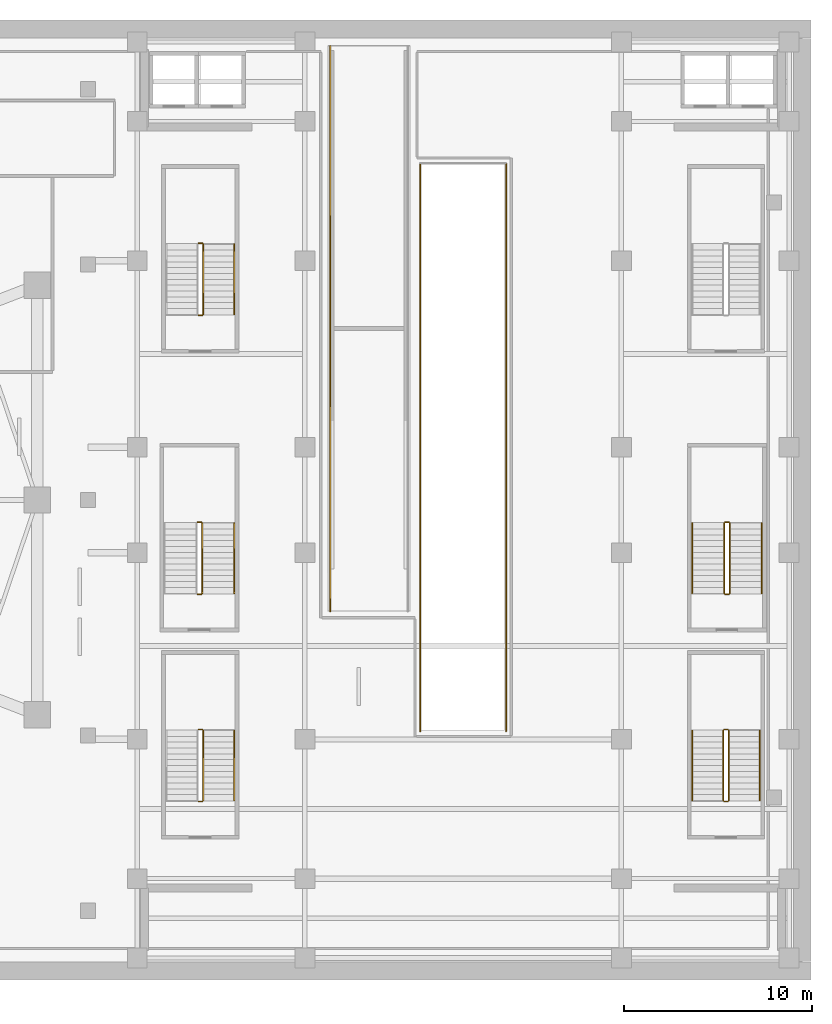
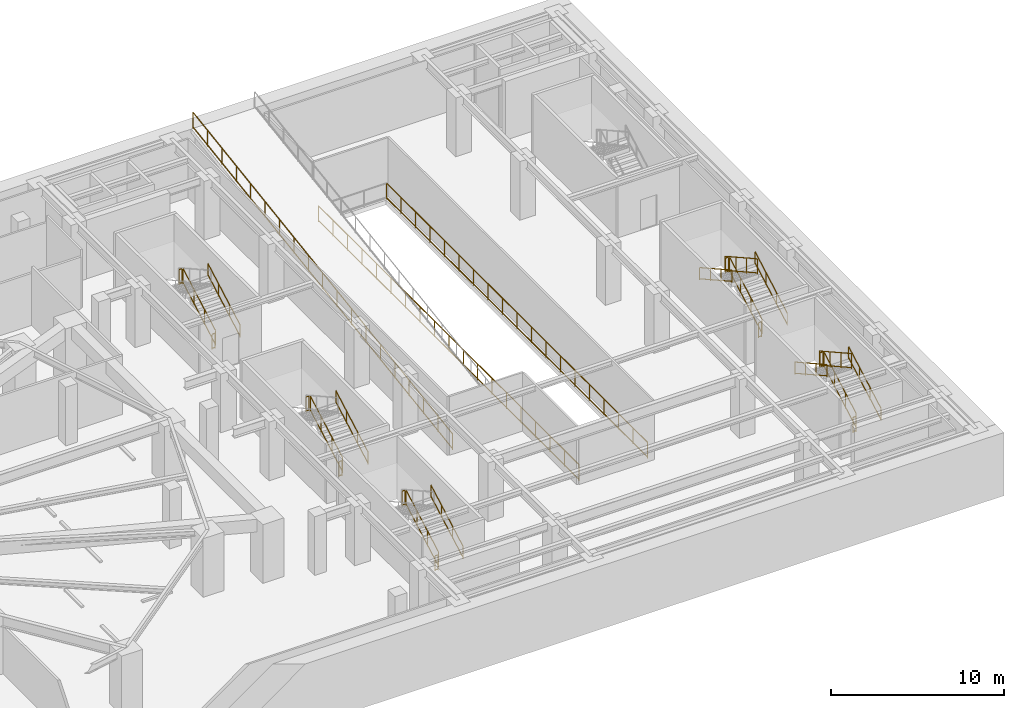
# One storey, part 15 of 16: 27 railings.
"""IFC4 building model written with IfcOpenShell, lengths in metres."""

from ifc_helpers import new_model, si_unit, direction, frame, origin, origin_2d, place, context, subcontext, project, spatial, rectangle, extrude, material, type_object, element, save


model = new_model("IFC4")

# Units and contexts
model_context = context("Model", 3, precision=1e-05, world=origin(), true_north=direction((0.0, 1.0)))
body_context = subcontext(model_context, "Body", "Model", "MODEL_VIEW")
ifc_project = project(units=[si_unit("LENGTHUNIT", "METRE"), si_unit("AREAUNIT", "SQUARE_METRE"), si_unit("VOLUMEUNIT", "CUBIC_METRE"), si_unit("PLANEANGLEUNIT", "RADIAN"), si_unit("MASSUNIT", "GRAM", prefix="KILO")], contexts=[model_context])

# Site, building, storey
site_placement = place(None, origin())
site = spatial("IfcSite", under=ifc_project, at=site_placement, CompositionType="ELEMENT")
building_placement = place(site_placement, origin())
building = spatial("IfcBuilding", under=site, at=building_placement, Name="Kolvaren Gate Tower and Convention Centre", CompositionType="ELEMENT")
storey_placement = place(building_placement, frame((0.0, 0.0, -4.5)))
storey = spatial("IfcBuildingStorey", under=building, at=storey_placement, Name="B1", CompositionType="ELEMENT", Elevation=-4.5)

# Railings
ifc_material = material(Name="Brushed Stainless Steel Grade 316L", Category="steel")
railing_type_1 = type_object("IfcRailingType", Name="ARCH-RL-GUARD-1150", PredefinedType="GUARDRAIL", material=ifc_material)
railing_1_placement = place(storey_placement, frame((66.199951171875, 36.85009765625, 0.173095703125)))
element("IfcRailing", 1, at=railing_1_placement, inside=storey, type_object=railing_type_1, Name="B1 ST-C1 stair guard 1", PredefinedType="GUARDRAIL", context=body_context, shape_type="SweptSolid", body=[
    extrude(rectangle(XDim=0.048095703125, YDim=0.048095703125, at=origin_2d()), frame((0.0, 0.0, 1.076171875), z_axis=(0.0, 0.873133609054, 0.487480974747), x_axis=(-1.0, 0.0, 0.0)), (0.0, 0.0, 1.0), 4.260498046875),
    extrude(rectangle(XDim=0.048095703125, YDim=0.048095703125, at=origin_2d()), frame((0.0, 0.0, 0.083984375), z_axis=(0.0, 0.873133609054, 0.487480974747), x_axis=(-1.0, 0.0, 0.0)), (0.0, 0.0, 1.0), 4.260498046875),
    extrude(rectangle(XDim=0.0419921875, YDim=0.0419921875, at=origin_2d()), origin(), (0.0, 0.0, 1.0), 1.050048828125),
    extrude(rectangle(XDim=0.0419921875, YDim=0.0419921875, at=origin_2d()), frame((0.0, 3.719970703125, 2.076904296875)), (0.0, 0.0, 1.0), 1.050048828125),
    extrude(rectangle(XDim=0.0419921875, YDim=0.0419921875, at=origin_2d()), frame((0.0, 1.239990234375, 0.6923828125)), (0.0, 0.0, 1.0), 1.050048828125),
    extrude(rectangle(XDim=0.0419921875, YDim=0.0419921875, at=origin_2d()), frame((0.0, 2.47998046875, 1.384521484375)), (0.0, 0.0, 1.0), 1.050048828125),
])
for number, where, name in (
    (2, (66.14990234375, 40.6201171875, 2.25), "B1 ST-C1 stair guard 2"),
    (3, (66.14990234375, 36.800048828125, 0.0), "B1 ST-C1 stair guard 4"),
):
    element("IfcRailing", number, at=place(storey_placement, frame(where)), inside=storey, type_object=railing_type_1, Name=name, PredefinedType="GUARDRAIL", context=body_context, shape_type="SweptSolid", body=[
        extrude(rectangle(XDim=0.048095703125, YDim=0.048095703125, at=origin_2d()), frame((0.0, 0.0, 1.076171875), z_axis=(-1.0, 0.0, 0.0), x_axis=(0.0, -1.0, 0.0)), (0.0, 0.0, 1.0), 0.199951171875),
        extrude(rectangle(XDim=0.048095703125, YDim=0.048095703125, at=origin_2d()), frame((0.0, 0.0, 0.083984375), z_axis=(-1.0, 0.0, 0.0), x_axis=(0.0, -1.0, 0.0)), (0.0, 0.0, 1.0), 0.199951171875),
        extrude(rectangle(XDim=0.0419921875, YDim=0.0419921875, at=origin_2d()), origin(), (0.0, 0.0, 1.0), 1.050048828125),
        extrude(rectangle(XDim=0.0419921875, YDim=0.0419921875, at=origin_2d()), frame((-0.199951171875, 0.0, 0.0)), (0.0, 0.0, 1.0), 1.050048828125),
    ])
railing_2_placement = place(storey_placement, frame((66.199951171875, 11.050048828125, 0.173095703125)))
element("IfcRailing", 4, at=railing_2_placement, inside=storey, type_object=railing_type_1, Name="B1 ST-C2 stair guard 1", PredefinedType="GUARDRAIL", context=body_context, shape_type="SweptSolid", body=[
    extrude(rectangle(XDim=0.048095703125, YDim=0.048095703125, at=origin_2d()), frame((0.0, 0.0, 1.076171875), z_axis=(0.0, 0.873133609054, 0.487480974747), x_axis=(-1.0, 0.0, 0.0)), (0.0, 0.0, 1.0), 4.260498046875),
    extrude(rectangle(XDim=0.048095703125, YDim=0.048095703125, at=origin_2d()), frame((0.0, 0.0, 0.083984375), z_axis=(0.0, 0.873133609054, 0.487480974747), x_axis=(-1.0, 0.0, 0.0)), (0.0, 0.0, 1.0), 4.260498046875),
    extrude(rectangle(XDim=0.0419921875, YDim=0.0419921875, at=origin_2d()), origin(), (0.0, 0.0, 1.0), 1.050048828125),
    extrude(rectangle(XDim=0.0419921875, YDim=0.0419921875, at=origin_2d()), frame((0.0, 3.719970703125, 2.076904296875)), (0.0, 0.0, 1.0), 1.050048828125),
    extrude(rectangle(XDim=0.0419921875, YDim=0.0419921875, at=origin_2d()), frame((0.0, 1.239990234375, 0.6923828125)), (0.0, 0.0, 1.0), 1.050048828125),
    extrude(rectangle(XDim=0.0419921875, YDim=0.0419921875, at=origin_2d()), frame((0.0, 2.47998046875, 1.384521484375)), (0.0, 0.0, 1.0), 1.050048828125),
])
for number, where, name in (
    (5, (66.14990234375, 14.820068359375, 2.25), "B1 ST-C2 stair guard 2"),
    (6, (66.14990234375, 11.0, 0.0), "B1 ST-C2 stair guard 4"),
):
    element("IfcRailing", number, at=place(storey_placement, frame(where)), inside=storey, type_object=railing_type_1, Name=name, PredefinedType="GUARDRAIL", context=body_context, shape_type="SweptSolid", body=[
        extrude(rectangle(XDim=0.048095703125, YDim=0.048095703125, at=origin_2d()), frame((0.0, 0.0, 1.076171875), z_axis=(-1.0, 0.0, 0.0), x_axis=(0.0, -1.0, 0.0)), (0.0, 0.0, 1.0), 0.199951171875),
        extrude(rectangle(XDim=0.048095703125, YDim=0.048095703125, at=origin_2d()), frame((0.0, 0.0, 0.083984375), z_axis=(-1.0, 0.0, 0.0), x_axis=(0.0, -1.0, 0.0)), (0.0, 0.0, 1.0), 0.199951171875),
        extrude(rectangle(XDim=0.0419921875, YDim=0.0419921875, at=origin_2d()), origin(), (0.0, 0.0, 1.0), 1.050048828125),
        extrude(rectangle(XDim=0.0419921875, YDim=0.0419921875, at=origin_2d()), frame((-0.199951171875, 0.0, 0.0)), (0.0, 0.0, 1.0), 1.050048828125),
    ])
railing_3_placement = place(storey_placement, frame((94.10009765625, 11.050048828125, 0.173095703125)))
element("IfcRailing", 7, at=railing_3_placement, inside=storey, type_object=railing_type_1, Name="B1 ST-C4 stair guard 1", PredefinedType="GUARDRAIL", context=body_context, shape_type="SweptSolid", body=[
    extrude(rectangle(XDim=0.048095703125, YDim=0.048095703125, at=origin_2d()), frame((0.0, 0.0, 1.076171875), z_axis=(0.0, 0.873133609054, 0.487480974747), x_axis=(-1.0, 0.0, 0.0)), (0.0, 0.0, 1.0), 4.260498046875),
    extrude(rectangle(XDim=0.048095703125, YDim=0.048095703125, at=origin_2d()), frame((0.0, 0.0, 0.083984375), z_axis=(0.0, 0.873133609054, 0.487480974747), x_axis=(-1.0, 0.0, 0.0)), (0.0, 0.0, 1.0), 4.260498046875),
    extrude(rectangle(XDim=0.0419921875, YDim=0.0419921875, at=origin_2d()), origin(), (0.0, 0.0, 1.0), 1.050048828125),
    extrude(rectangle(XDim=0.0419921875, YDim=0.0419921875, at=origin_2d()), frame((0.0, 3.719970703125, 2.076904296875)), (0.0, 0.0, 1.0), 1.050048828125),
    extrude(rectangle(XDim=0.0419921875, YDim=0.0419921875, at=origin_2d()), frame((0.0, 1.239990234375, 0.6923828125)), (0.0, 0.0, 1.0), 1.050048828125),
    extrude(rectangle(XDim=0.0419921875, YDim=0.0419921875, at=origin_2d()), frame((0.0, 2.47998046875, 1.384521484375)), (0.0, 0.0, 1.0), 1.050048828125),
])
railing_4_placement = place(storey_placement, frame((94.050048828125, 14.820068359375, 2.25)))
element("IfcRailing", 8, at=railing_4_placement, inside=storey, type_object=railing_type_1, Name="B1 ST-C4 stair guard 2", PredefinedType="GUARDRAIL", context=body_context, shape_type="SweptSolid", body=[
    extrude(rectangle(XDim=0.048095703125, YDim=0.048095703125, at=origin_2d()), frame((0.0, 0.0, 1.076171875), z_axis=(-1.0, 0.0, 0.0), x_axis=(0.0, -1.0, 0.0)), (0.0, 0.0, 1.0), 0.199951171875),
    extrude(rectangle(XDim=0.048095703125, YDim=0.048095703125, at=origin_2d()), frame((0.0, 0.0, 0.083984375), z_axis=(-1.0, 0.0, 0.0), x_axis=(0.0, -1.0, 0.0)), (0.0, 0.0, 1.0), 0.199951171875),
    extrude(rectangle(XDim=0.0419921875, YDim=0.0419921875, at=origin_2d()), origin(), (0.0, 0.0, 1.0), 1.050048828125),
    extrude(rectangle(XDim=0.0419921875, YDim=0.0419921875, at=origin_2d()), frame((-0.199951171875, 0.0, 0.0)), (0.0, 0.0, 1.0), 1.050048828125),
])
railing_5_placement = place(storey_placement, frame((93.800048828125, 14.77001953125, 2.423095703125)))
element("IfcRailing", 9, at=railing_5_placement, inside=storey, type_object=railing_type_1, Name="B1 ST-C4 stair guard 3", PredefinedType="GUARDRAIL", context=body_context, shape_type="SweptSolid", body=[
    extrude(rectangle(XDim=0.048095703125, YDim=0.048095703125, at=origin_2d()), frame((0.0, 0.0, 1.076171875), z_axis=(0.0, -0.873133609054, 0.487480974747), x_axis=(1.0, 0.0, 0.0)), (0.0, 0.0, 1.0), 4.260498046875),
    extrude(rectangle(XDim=0.048095703125, YDim=0.048095703125, at=origin_2d()), frame((0.0, 0.0, 0.083984375), z_axis=(0.0, -0.873133609054, 0.487480974747), x_axis=(1.0, 0.0, 0.0)), (0.0, 0.0, 1.0), 4.260498046875),
    extrude(rectangle(XDim=0.0419921875, YDim=0.0419921875, at=origin_2d()), origin(), (0.0, 0.0, 1.0), 1.050048828125),
    extrude(rectangle(XDim=0.0419921875, YDim=0.0419921875, at=origin_2d()), frame((0.0, -3.719970703125, 2.076904296875)), (0.0, 0.0, 1.0), 1.050048828125),
    extrude(rectangle(XDim=0.0419921875, YDim=0.0419921875, at=origin_2d()), frame((0.0, -1.239990234375, 0.6923828125)), (0.0, 0.0, 1.0), 1.050048828125),
    extrude(rectangle(XDim=0.0419921875, YDim=0.0419921875, at=origin_2d()), frame((0.0, -2.47998046875, 1.384521484375)), (0.0, 0.0, 1.0), 1.050048828125),
])
railing_6_placement = place(storey_placement, frame((94.050048828125, 11.0, 0.0)))
element("IfcRailing", 10, at=railing_6_placement, inside=storey, type_object=railing_type_1, Name="B1 ST-C4 stair guard 4", PredefinedType="GUARDRAIL", context=body_context, shape_type="SweptSolid", body=[
    extrude(rectangle(XDim=0.048095703125, YDim=0.048095703125, at=origin_2d()), frame((0.0, 0.0, 1.076171875), z_axis=(-1.0, 0.0, 0.0), x_axis=(0.0, -1.0, 0.0)), (0.0, 0.0, 1.0), 0.199951171875),
    extrude(rectangle(XDim=0.048095703125, YDim=0.048095703125, at=origin_2d()), frame((0.0, 0.0, 0.083984375), z_axis=(-1.0, 0.0, 0.0), x_axis=(0.0, -1.0, 0.0)), (0.0, 0.0, 1.0), 0.199951171875),
    extrude(rectangle(XDim=0.0419921875, YDim=0.0419921875, at=origin_2d()), origin(), (0.0, 0.0, 1.0), 1.050048828125),
    extrude(rectangle(XDim=0.0419921875, YDim=0.0419921875, at=origin_2d()), frame((-0.199951171875, 0.0, 0.0)), (0.0, 0.0, 1.0), 1.050048828125),
])
railing_7_placement = place(storey_placement, frame((66.14990234375, 22.050048828125, 0.173095703125)))
element("IfcRailing", 11, at=railing_7_placement, inside=storey, type_object=railing_type_1, Name="B1 ST-C5 stair guard 1", PredefinedType="GUARDRAIL", context=body_context, shape_type="SweptSolid", body=[
    extrude(rectangle(XDim=0.048095703125, YDim=0.048095703125, at=origin_2d()), frame((0.0, 0.0, 1.076171875), z_axis=(0.0, 0.873133609054, 0.487480974747), x_axis=(-1.0, 0.0, 0.0)), (0.0, 0.0, 1.0), 4.260498046875),
    extrude(rectangle(XDim=0.048095703125, YDim=0.048095703125, at=origin_2d()), frame((0.0, 0.0, 0.083984375), z_axis=(0.0, 0.873133609054, 0.487480974747), x_axis=(-1.0, 0.0, 0.0)), (0.0, 0.0, 1.0), 4.260498046875),
    extrude(rectangle(XDim=0.0419921875, YDim=0.0419921875, at=origin_2d()), origin(), (0.0, 0.0, 1.0), 1.050048828125),
    extrude(rectangle(XDim=0.0419921875, YDim=0.0419921875, at=origin_2d()), frame((0.0, 3.719970703125, 2.076904296875)), (0.0, 0.0, 1.0), 1.050048828125),
    extrude(rectangle(XDim=0.0419921875, YDim=0.0419921875, at=origin_2d()), frame((0.0, 1.239990234375, 0.6923828125)), (0.0, 0.0, 1.0), 1.050048828125),
    extrude(rectangle(XDim=0.0419921875, YDim=0.0419921875, at=origin_2d()), frame((0.0, 2.47998046875, 1.384521484375)), (0.0, 0.0, 1.0), 1.050048828125),
])
for number, where, name in (
    (12, (66.10009765625, 25.820068359375, 2.25), "B1 ST-C5 stair guard 2"),
    (13, (66.10009765625, 22.0, 0.0), "B1 ST-C5 stair guard 4"),
):
    element("IfcRailing", number, at=place(storey_placement, frame(where)), inside=storey, type_object=railing_type_1, Name=name, PredefinedType="GUARDRAIL", context=body_context, shape_type="SweptSolid", body=[
        extrude(rectangle(XDim=0.048095703125, YDim=0.048095703125, at=origin_2d()), frame((0.0, 0.0, 1.076171875), z_axis=(-1.0, 0.0, 0.0), x_axis=(0.0, -1.0, 0.0)), (0.0, 0.0, 1.0), 0.2001953125),
        extrude(rectangle(XDim=0.048095703125, YDim=0.048095703125, at=origin_2d()), frame((0.0, 0.0, 0.083984375), z_axis=(-1.0, 0.0, 0.0), x_axis=(0.0, -1.0, 0.0)), (0.0, 0.0, 1.0), 0.2001953125),
        extrude(rectangle(XDim=0.0419921875, YDim=0.0419921875, at=origin_2d()), origin(), (0.0, 0.0, 1.0), 1.050048828125),
        extrude(rectangle(XDim=0.0419921875, YDim=0.0419921875, at=origin_2d()), frame((-0.2001953125, 0.0, 0.0)), (0.0, 0.0, 1.0), 1.050048828125),
    ])
railing_8_placement = place(storey_placement, frame((94.14990234375, 22.050048828125, 0.173095703125)))
element("IfcRailing", 14, at=railing_8_placement, inside=storey, type_object=railing_type_1, Name="B1 ST-C6 stair guard 1", PredefinedType="GUARDRAIL", context=body_context, shape_type="SweptSolid", body=[
    extrude(rectangle(XDim=0.048095703125, YDim=0.048095703125, at=origin_2d()), frame((0.0, 0.0, 1.076171875), z_axis=(0.0, 0.873133609054, 0.487480974747), x_axis=(-1.0, 0.0, 0.0)), (0.0, 0.0, 1.0), 4.260498046875),
    extrude(rectangle(XDim=0.048095703125, YDim=0.048095703125, at=origin_2d()), frame((0.0, 0.0, 0.083984375), z_axis=(0.0, 0.873133609054, 0.487480974747), x_axis=(-1.0, 0.0, 0.0)), (0.0, 0.0, 1.0), 4.260498046875),
    extrude(rectangle(XDim=0.0419921875, YDim=0.0419921875, at=origin_2d()), origin(), (0.0, 0.0, 1.0), 1.050048828125),
    extrude(rectangle(XDim=0.0419921875, YDim=0.0419921875, at=origin_2d()), frame((0.0, 3.719970703125, 2.076904296875)), (0.0, 0.0, 1.0), 1.050048828125),
    extrude(rectangle(XDim=0.0419921875, YDim=0.0419921875, at=origin_2d()), frame((0.0, 1.239990234375, 0.6923828125)), (0.0, 0.0, 1.0), 1.050048828125),
    extrude(rectangle(XDim=0.0419921875, YDim=0.0419921875, at=origin_2d()), frame((0.0, 2.47998046875, 1.384521484375)), (0.0, 0.0, 1.0), 1.050048828125),
])
railing_9_placement = place(storey_placement, frame((94.10009765625, 25.820068359375, 2.25)))
element("IfcRailing", 15, at=railing_9_placement, inside=storey, type_object=railing_type_1, Name="B1 ST-C6 stair guard 2", PredefinedType="GUARDRAIL", context=body_context, shape_type="SweptSolid", body=[
    extrude(rectangle(XDim=0.048095703125, YDim=0.048095703125, at=origin_2d()), frame((0.0, 0.0, 1.076171875), z_axis=(-1.0, 0.0, 0.0), x_axis=(0.0, -1.0, 0.0)), (0.0, 0.0, 1.0), 0.2001953125),
    extrude(rectangle(XDim=0.048095703125, YDim=0.048095703125, at=origin_2d()), frame((0.0, 0.0, 0.083984375), z_axis=(-1.0, 0.0, 0.0), x_axis=(0.0, -1.0, 0.0)), (0.0, 0.0, 1.0), 0.2001953125),
    extrude(rectangle(XDim=0.0419921875, YDim=0.0419921875, at=origin_2d()), origin(), (0.0, 0.0, 1.0), 1.050048828125),
    extrude(rectangle(XDim=0.0419921875, YDim=0.0419921875, at=origin_2d()), frame((-0.2001953125, 0.0, 0.0)), (0.0, 0.0, 1.0), 1.050048828125),
])
railing_10_placement = place(storey_placement, frame((93.85009765625, 25.77001953125, 2.423095703125)))
element("IfcRailing", 16, at=railing_10_placement, inside=storey, type_object=railing_type_1, Name="B1 ST-C6 stair guard 3", PredefinedType="GUARDRAIL", context=body_context, shape_type="SweptSolid", body=[
    extrude(rectangle(XDim=0.048095703125, YDim=0.048095703125, at=origin_2d()), frame((0.0, 0.0, 1.076171875), z_axis=(0.0, -0.873133609054, 0.487480974747), x_axis=(1.0, 0.0, 0.0)), (0.0, 0.0, 1.0), 4.260498046875),
    extrude(rectangle(XDim=0.048095703125, YDim=0.048095703125, at=origin_2d()), frame((0.0, 0.0, 0.083984375), z_axis=(0.0, -0.873133609054, 0.487480974747), x_axis=(1.0, 0.0, 0.0)), (0.0, 0.0, 1.0), 4.260498046875),
    extrude(rectangle(XDim=0.0419921875, YDim=0.0419921875, at=origin_2d()), origin(), (0.0, 0.0, 1.0), 1.050048828125),
    extrude(rectangle(XDim=0.0419921875, YDim=0.0419921875, at=origin_2d()), frame((0.0, -3.719970703125, 2.076904296875)), (0.0, 0.0, 1.0), 1.050048828125),
    extrude(rectangle(XDim=0.0419921875, YDim=0.0419921875, at=origin_2d()), frame((0.0, -1.239990234375, 0.6923828125)), (0.0, 0.0, 1.0), 1.050048828125),
    extrude(rectangle(XDim=0.0419921875, YDim=0.0419921875, at=origin_2d()), frame((0.0, -2.47998046875, 1.384521484375)), (0.0, 0.0, 1.0), 1.050048828125),
])
railing_11_placement = place(storey_placement, frame((94.10009765625, 22.0, 0.0)))
element("IfcRailing", 17, at=railing_11_placement, inside=storey, type_object=railing_type_1, Name="B1 ST-C6 stair guard 4", PredefinedType="GUARDRAIL", context=body_context, shape_type="SweptSolid", body=[
    extrude(rectangle(XDim=0.048095703125, YDim=0.048095703125, at=origin_2d()), frame((0.0, 0.0, 1.076171875), z_axis=(-1.0, 0.0, 0.0), x_axis=(0.0, -1.0, 0.0)), (0.0, 0.0, 1.0), 0.2001953125),
    extrude(rectangle(XDim=0.048095703125, YDim=0.048095703125, at=origin_2d()), frame((0.0, 0.0, 0.083984375), z_axis=(-1.0, 0.0, 0.0), x_axis=(0.0, -1.0, 0.0)), (0.0, 0.0, 1.0), 0.2001953125),
    extrude(rectangle(XDim=0.0419921875, YDim=0.0419921875, at=origin_2d()), origin(), (0.0, 0.0, 1.0), 1.050048828125),
    extrude(rectangle(XDim=0.0419921875, YDim=0.0419921875, at=origin_2d()), frame((-0.2001953125, 0.0, 0.0)), (0.0, 0.0, 1.0), 1.050048828125),
])
railing_12_placement = place(storey_placement, frame((72.93994140625, 21.10009765625, 0.0)))
element("IfcRailing", 18, at=railing_12_placement, inside=storey, type_object=railing_type_1, Name="Basement B1 to Ground Car Park Vehicle Ramp Slab R1 Pitched Perimeter Guardrail 1", PredefinedType="GUARDRAIL", context=body_context, shape_type="SweptSolid", body=[
    extrude(rectangle(XDim=0.048095703125, YDim=0.048095703125, at=origin_2d()), frame((0.0, 0.0, 1.1259765625), z_axis=(0.0, 0.988936352868, 0.14834045293), x_axis=(-1.0, 0.0, 0.0)), (0.0, 0.0, 1.0), 30.335693359375),
    extrude(rectangle(XDim=0.048095703125, YDim=0.048095703125, at=origin_2d()), frame((0.0, 0.0, 0.083984375), z_axis=(0.0, 0.988936352868, 0.14834045293), x_axis=(-1.0, 0.0, 0.0)), (0.0, 0.0, 1.0), 30.335693359375),
    extrude(rectangle(XDim=0.0419921875, YDim=0.0419921875, at=origin_2d()), origin(), (0.0, 0.0, 1.0), 1.099853515625),
    extrude(rectangle(XDim=0.0419921875, YDim=0.0419921875, at=origin_2d()), frame((0.0, 30.0, 4.5)), (0.0, 0.0, 1.0), 1.099853515625),
    extrude(rectangle(XDim=0.0419921875, YDim=0.0419921875, at=origin_2d()), frame((0.0, 1.666748046875, 0.25)), (0.0, 0.0, 1.0), 1.099853515625),
    extrude(rectangle(XDim=0.0419921875, YDim=0.0419921875, at=origin_2d()), frame((0.0, 3.333251953125, 0.5)), (0.0, 0.0, 1.0), 1.099853515625),
    extrude(rectangle(XDim=0.0419921875, YDim=0.0419921875, at=origin_2d()), frame((0.0, 5.0, 0.75)), (0.0, 0.0, 1.0), 1.099853515625),
    extrude(rectangle(XDim=0.0419921875, YDim=0.0419921875, at=origin_2d()), frame((0.0, 6.666748046875, 1.0)), (0.0, 0.0, 1.0), 1.099853515625),
    extrude(rectangle(XDim=0.0419921875, YDim=0.0419921875, at=origin_2d()), frame((0.0, 8.333251953125, 1.25)), (0.0, 0.0, 1.0), 1.099853515625),
    extrude(rectangle(XDim=0.0419921875, YDim=0.0419921875, at=origin_2d()), frame((0.0, 10.0, 1.5)), (0.0, 0.0, 1.0), 1.099853515625),
    extrude(rectangle(XDim=0.0419921875, YDim=0.0419921875, at=origin_2d()), frame((0.0, 11.666748046875, 1.75)), (0.0, 0.0, 1.0), 1.099853515625),
    extrude(rectangle(XDim=0.0419921875, YDim=0.0419921875, at=origin_2d()), frame((0.0, 13.333251953125, 2.0)), (0.0, 0.0, 1.0), 1.099853515625),
    extrude(rectangle(XDim=0.0419921875, YDim=0.0419921875, at=origin_2d()), frame((0.0, 15.0, 2.25)), (0.0, 0.0, 1.0), 1.099853515625),
    extrude(rectangle(XDim=0.0419921875, YDim=0.0419921875, at=origin_2d()), frame((0.0, 16.666748046875, 2.5)), (0.0, 0.0, 1.0), 1.099853515625),
    extrude(rectangle(XDim=0.0419921875, YDim=0.0419921875, at=origin_2d()), frame((0.0, 18.333251953125, 2.75)), (0.0, 0.0, 1.0), 1.099853515625),
    extrude(rectangle(XDim=0.0419921875, YDim=0.0419921875, at=origin_2d()), frame((0.0, 20.0, 3.0)), (0.0, 0.0, 1.0), 1.099853515625),
    extrude(rectangle(XDim=0.0419921875, YDim=0.0419921875, at=origin_2d()), frame((0.0, 21.666748046875, 3.25)), (0.0, 0.0, 1.0), 1.099853515625),
    extrude(rectangle(XDim=0.0419921875, YDim=0.0419921875, at=origin_2d()), frame((0.0, 23.333251953125, 3.5)), (0.0, 0.0, 1.0), 1.099853515625),
    extrude(rectangle(XDim=0.0419921875, YDim=0.0419921875, at=origin_2d()), frame((0.0, 25.0, 3.75)), (0.0, 0.0, 1.0), 1.099853515625),
    extrude(rectangle(XDim=0.0419921875, YDim=0.0419921875, at=origin_2d()), frame((0.0, 26.666748046875, 4.0)), (0.0, 0.0, 1.0), 1.099853515625),
    extrude(rectangle(XDim=0.0419921875, YDim=0.0419921875, at=origin_2d()), frame((0.0, 28.333251953125, 4.25)), (0.0, 0.0, 1.0), 1.099853515625),
])
railing_13_placement = place(storey_placement, frame((77.719970703125, 14.719970703125, 0.0)))
element("IfcRailing", 19, at=railing_13_placement, inside=storey, type_object=railing_type_1, Name="Basement B2 to B1 Car Park Vehicle Ramp Slab R2 Floor Opening Perimeter Guardrail 1", PredefinedType="GUARDRAIL", context=body_context, shape_type="SweptSolid", body=[
    extrude(rectangle(XDim=0.048095703125, YDim=0.048095703125, at=origin_2d()), frame((0.0, 0.0, 1.1259765625), z_axis=(0.0, 1.0, 0.0), x_axis=(-1.0, 0.0, 0.0)), (0.0, 0.0, 1.0), 30.159912109375),
    extrude(rectangle(XDim=0.048095703125, YDim=0.048095703125, at=origin_2d()), frame((0.0, 0.0, 0.083984375), z_axis=(0.0, 1.0, 0.0), x_axis=(-1.0, 0.0, 0.0)), (0.0, 0.0, 1.0), 30.159912109375),
    extrude(rectangle(XDim=0.0419921875, YDim=0.0419921875, at=origin_2d()), origin(), (0.0, 0.0, 1.0), 1.099853515625),
    extrude(rectangle(XDim=0.0419921875, YDim=0.0419921875, at=origin_2d()), frame((0.0, 30.159912109375, 0.0)), (0.0, 0.0, 1.0), 1.099853515625),
    extrude(rectangle(XDim=0.0419921875, YDim=0.0419921875, at=origin_2d()), frame((0.0, 1.675537109375, 0.0)), (0.0, 0.0, 1.0), 1.099853515625),
    extrude(rectangle(XDim=0.0419921875, YDim=0.0419921875, at=origin_2d()), frame((0.0, 3.35107421875, 0.0)), (0.0, 0.0, 1.0), 1.099853515625),
    extrude(rectangle(XDim=0.0419921875, YDim=0.0419921875, at=origin_2d()), frame((0.0, 5.026611328125, 0.0)), (0.0, 0.0, 1.0), 1.099853515625),
    extrude(rectangle(XDim=0.0419921875, YDim=0.0419921875, at=origin_2d()), frame((0.0, 6.7021484375, 0.0)), (0.0, 0.0, 1.0), 1.099853515625),
    extrude(rectangle(XDim=0.0419921875, YDim=0.0419921875, at=origin_2d()), frame((0.0, 8.377685546875, 0.0)), (0.0, 0.0, 1.0), 1.099853515625),
    extrude(rectangle(XDim=0.0419921875, YDim=0.0419921875, at=origin_2d()), frame((0.0, 10.05322265625, 0.0)), (0.0, 0.0, 1.0), 1.099853515625),
    extrude(rectangle(XDim=0.0419921875, YDim=0.0419921875, at=origin_2d()), frame((0.0, 11.728759765625, 0.0)), (0.0, 0.0, 1.0), 1.099853515625),
    extrude(rectangle(XDim=0.0419921875, YDim=0.0419921875, at=origin_2d()), frame((0.0, 13.404296875, 0.0)), (0.0, 0.0, 1.0), 1.099853515625),
    extrude(rectangle(XDim=0.0419921875, YDim=0.0419921875, at=origin_2d()), frame((0.0, 15.080078125, 0.0)), (0.0, 0.0, 1.0), 1.099853515625),
    extrude(rectangle(XDim=0.0419921875, YDim=0.0419921875, at=origin_2d()), frame((0.0, 16.755615234375, 0.0)), (0.0, 0.0, 1.0), 1.099853515625),
    extrude(rectangle(XDim=0.0419921875, YDim=0.0419921875, at=origin_2d()), frame((0.0, 18.43115234375, 0.0)), (0.0, 0.0, 1.0), 1.099853515625),
    extrude(rectangle(XDim=0.0419921875, YDim=0.0419921875, at=origin_2d()), frame((0.0, 20.106689453125, 0.0)), (0.0, 0.0, 1.0), 1.099853515625),
    extrude(rectangle(XDim=0.0419921875, YDim=0.0419921875, at=origin_2d()), frame((0.0, 21.7822265625, 0.0)), (0.0, 0.0, 1.0), 1.099853515625),
    extrude(rectangle(XDim=0.0419921875, YDim=0.0419921875, at=origin_2d()), frame((0.0, 23.457763671875, 0.0)), (0.0, 0.0, 1.0), 1.099853515625),
    extrude(rectangle(XDim=0.0419921875, YDim=0.0419921875, at=origin_2d()), frame((0.0, 25.13330078125, 0.0)), (0.0, 0.0, 1.0), 1.099853515625),
    extrude(rectangle(XDim=0.0419921875, YDim=0.0419921875, at=origin_2d()), frame((0.0, 26.808837890625, 0.0)), (0.0, 0.0, 1.0), 1.099853515625),
    extrude(rectangle(XDim=0.0419921875, YDim=0.0419921875, at=origin_2d()), frame((0.0, 28.484375, 0.0)), (0.0, 0.0, 1.0), 1.099853515625),
])
railing_14_placement = place(storey_placement, frame((82.280029296875, 14.719970703125, 0.0)))
element("IfcRailing", 20, at=railing_14_placement, inside=storey, type_object=railing_type_1, Name="Basement B2 to B1 Car Park Vehicle Ramp Slab R2 Floor Opening Perimeter Guardrail 2", PredefinedType="GUARDRAIL", context=body_context, shape_type="SweptSolid", body=[
    extrude(rectangle(XDim=0.048095703125, YDim=0.048095703125, at=origin_2d()), frame((0.0, 0.0, 1.1259765625), z_axis=(0.0, 1.0, 0.0), x_axis=(-1.0, 0.0, 0.0)), (0.0, 0.0, 1.0), 30.159912109375),
    extrude(rectangle(XDim=0.048095703125, YDim=0.048095703125, at=origin_2d()), frame((0.0, 0.0, 0.083984375), z_axis=(0.0, 1.0, 0.0), x_axis=(-1.0, 0.0, 0.0)), (0.0, 0.0, 1.0), 30.159912109375),
    extrude(rectangle(XDim=0.0419921875, YDim=0.0419921875, at=origin_2d()), origin(), (0.0, 0.0, 1.0), 1.099853515625),
    extrude(rectangle(XDim=0.0419921875, YDim=0.0419921875, at=origin_2d()), frame((0.0, 30.159912109375, 0.0)), (0.0, 0.0, 1.0), 1.099853515625),
    extrude(rectangle(XDim=0.0419921875, YDim=0.0419921875, at=origin_2d()), frame((0.0, 1.675537109375, 0.0)), (0.0, 0.0, 1.0), 1.099853515625),
    extrude(rectangle(XDim=0.0419921875, YDim=0.0419921875, at=origin_2d()), frame((0.0, 3.35107421875, 0.0)), (0.0, 0.0, 1.0), 1.099853515625),
    extrude(rectangle(XDim=0.0419921875, YDim=0.0419921875, at=origin_2d()), frame((0.0, 5.026611328125, 0.0)), (0.0, 0.0, 1.0), 1.099853515625),
    extrude(rectangle(XDim=0.0419921875, YDim=0.0419921875, at=origin_2d()), frame((0.0, 6.7021484375, 0.0)), (0.0, 0.0, 1.0), 1.099853515625),
    extrude(rectangle(XDim=0.0419921875, YDim=0.0419921875, at=origin_2d()), frame((0.0, 8.377685546875, 0.0)), (0.0, 0.0, 1.0), 1.099853515625),
    extrude(rectangle(XDim=0.0419921875, YDim=0.0419921875, at=origin_2d()), frame((0.0, 10.05322265625, 0.0)), (0.0, 0.0, 1.0), 1.099853515625),
    extrude(rectangle(XDim=0.0419921875, YDim=0.0419921875, at=origin_2d()), frame((0.0, 11.728759765625, 0.0)), (0.0, 0.0, 1.0), 1.099853515625),
    extrude(rectangle(XDim=0.0419921875, YDim=0.0419921875, at=origin_2d()), frame((0.0, 13.404296875, 0.0)), (0.0, 0.0, 1.0), 1.099853515625),
    extrude(rectangle(XDim=0.0419921875, YDim=0.0419921875, at=origin_2d()), frame((0.0, 15.080078125, 0.0)), (0.0, 0.0, 1.0), 1.099853515625),
    extrude(rectangle(XDim=0.0419921875, YDim=0.0419921875, at=origin_2d()), frame((0.0, 16.755615234375, 0.0)), (0.0, 0.0, 1.0), 1.099853515625),
    extrude(rectangle(XDim=0.0419921875, YDim=0.0419921875, at=origin_2d()), frame((0.0, 18.43115234375, 0.0)), (0.0, 0.0, 1.0), 1.099853515625),
    extrude(rectangle(XDim=0.0419921875, YDim=0.0419921875, at=origin_2d()), frame((0.0, 20.106689453125, 0.0)), (0.0, 0.0, 1.0), 1.099853515625),
    extrude(rectangle(XDim=0.0419921875, YDim=0.0419921875, at=origin_2d()), frame((0.0, 21.7822265625, 0.0)), (0.0, 0.0, 1.0), 1.099853515625),
    extrude(rectangle(XDim=0.0419921875, YDim=0.0419921875, at=origin_2d()), frame((0.0, 23.457763671875, 0.0)), (0.0, 0.0, 1.0), 1.099853515625),
    extrude(rectangle(XDim=0.0419921875, YDim=0.0419921875, at=origin_2d()), frame((0.0, 25.13330078125, 0.0)), (0.0, 0.0, 1.0), 1.099853515625),
    extrude(rectangle(XDim=0.0419921875, YDim=0.0419921875, at=origin_2d()), frame((0.0, 26.808837890625, 0.0)), (0.0, 0.0, 1.0), 1.099853515625),
    extrude(rectangle(XDim=0.0419921875, YDim=0.0419921875, at=origin_2d()), frame((0.0, 28.484375, 0.0)), (0.0, 0.0, 1.0), 1.099853515625),
])
railing_type_2 = type_object("IfcRailingType", Name="ARCH-RL-HANDRAIL-920", PredefinedType="HANDRAIL", material=ifc_material)
for number, where, name in (
    (21, (67.85009765625, 36.85009765625, 0.173095703125), "B1 ST-C1 stair handrail 1"),
    (22, (67.85009765625, 11.050048828125, 0.173095703125), "B1 ST-C2 stair handrail 1"),
    (23, (95.75, 11.050048828125, 0.173095703125), "B1 ST-C4 stair handrail 1"),
):
    element("IfcRailing", number, at=place(storey_placement, frame(where)), inside=storey, type_object=railing_type_2, Name=name, PredefinedType="HANDRAIL", context=body_context, shape_type="SweptSolid", body=[
        extrude(rectangle(XDim=0.048095703125, YDim=0.048095703125, at=origin_2d()), frame((0.0, 0.0, 0.8759765625), z_axis=(0.0, 0.873133609054, 0.487480974747), x_axis=(-1.0, 0.0, 0.0)), (0.0, 0.0, 1.0), 4.260498046875),
        extrude(rectangle(XDim=0.048095703125, YDim=0.048095703125, at=origin_2d()), frame((0.0, 0.0, 0.083984375), z_axis=(0.0, 0.873133609054, 0.487480974747), x_axis=(-1.0, 0.0, 0.0)), (0.0, 0.0, 1.0), 4.260498046875),
        extrude(rectangle(XDim=0.0419921875, YDim=0.0419921875, at=origin_2d()), origin(), (0.0, 0.0, 1.0), 0.849853515625),
        extrude(rectangle(XDim=0.0419921875, YDim=0.0419921875, at=origin_2d()), frame((0.0, 3.719970703125, 2.076904296875)), (0.0, 0.0, 1.0), 0.849853515625),
        extrude(rectangle(XDim=0.0419921875, YDim=0.0419921875, at=origin_2d()), frame((0.0, 1.239990234375, 0.6923828125)), (0.0, 0.0, 1.0), 0.849853515625),
        extrude(rectangle(XDim=0.0419921875, YDim=0.0419921875, at=origin_2d()), frame((0.0, 2.47998046875, 1.384521484375)), (0.0, 0.0, 1.0), 0.849853515625),
    ])
railing_15_placement = place(storey_placement, frame((92.14990234375, 14.77001953125, 2.423095703125)))
element("IfcRailing", 24, at=railing_15_placement, inside=storey, type_object=railing_type_2, Name="B1 ST-C4 stair handrail 2", PredefinedType="HANDRAIL", context=body_context, shape_type="SweptSolid", body=[
    extrude(rectangle(XDim=0.048095703125, YDim=0.048095703125, at=origin_2d()), frame((0.0, 0.0, 0.8759765625), z_axis=(0.0, -0.873133609054, 0.487480974747), x_axis=(1.0, 0.0, 0.0)), (0.0, 0.0, 1.0), 4.260498046875),
    extrude(rectangle(XDim=0.048095703125, YDim=0.048095703125, at=origin_2d()), frame((0.0, 0.0, 0.083984375), z_axis=(0.0, -0.873133609054, 0.487480974747), x_axis=(1.0, 0.0, 0.0)), (0.0, 0.0, 1.0), 4.260498046875),
    extrude(rectangle(XDim=0.0419921875, YDim=0.0419921875, at=origin_2d()), origin(), (0.0, 0.0, 1.0), 0.849853515625),
    extrude(rectangle(XDim=0.0419921875, YDim=0.0419921875, at=origin_2d()), frame((0.0, -3.719970703125, 2.076904296875)), (0.0, 0.0, 1.0), 0.849853515625),
    extrude(rectangle(XDim=0.0419921875, YDim=0.0419921875, at=origin_2d()), frame((0.0, -1.239990234375, 0.6923828125)), (0.0, 0.0, 1.0), 0.849853515625),
    extrude(rectangle(XDim=0.0419921875, YDim=0.0419921875, at=origin_2d()), frame((0.0, -2.47998046875, 1.384521484375)), (0.0, 0.0, 1.0), 0.849853515625),
])
for number, where, name in (
    (25, (67.85009765625, 22.050048828125, 0.173095703125), "B1 ST-C5 stair handrail 1"),
    (26, (95.85009765625, 22.050048828125, 0.173095703125), "B1 ST-C6 stair handrail 1"),
):
    element("IfcRailing", number, at=place(storey_placement, frame(where)), inside=storey, type_object=railing_type_2, Name=name, PredefinedType="HANDRAIL", context=body_context, shape_type="SweptSolid", body=[
        extrude(rectangle(XDim=0.048095703125, YDim=0.048095703125, at=origin_2d()), frame((0.0, 0.0, 0.8759765625), z_axis=(0.0, 0.873133609054, 0.487480974747), x_axis=(-1.0, 0.0, 0.0)), (0.0, 0.0, 1.0), 4.260498046875),
        extrude(rectangle(XDim=0.048095703125, YDim=0.048095703125, at=origin_2d()), frame((0.0, 0.0, 0.083984375), z_axis=(0.0, 0.873133609054, 0.487480974747), x_axis=(-1.0, 0.0, 0.0)), (0.0, 0.0, 1.0), 4.260498046875),
        extrude(rectangle(XDim=0.0419921875, YDim=0.0419921875, at=origin_2d()), origin(), (0.0, 0.0, 1.0), 0.849853515625),
        extrude(rectangle(XDim=0.0419921875, YDim=0.0419921875, at=origin_2d()), frame((0.0, 3.719970703125, 2.076904296875)), (0.0, 0.0, 1.0), 0.849853515625),
        extrude(rectangle(XDim=0.0419921875, YDim=0.0419921875, at=origin_2d()), frame((0.0, 1.239990234375, 0.6923828125)), (0.0, 0.0, 1.0), 0.849853515625),
        extrude(rectangle(XDim=0.0419921875, YDim=0.0419921875, at=origin_2d()), frame((0.0, 2.47998046875, 1.384521484375)), (0.0, 0.0, 1.0), 0.849853515625),
    ])
railing_16_placement = place(storey_placement, frame((92.14990234375, 25.77001953125, 2.423095703125)))
element("IfcRailing", 27, at=railing_16_placement, inside=storey, type_object=railing_type_2, Name="B1 ST-C6 stair handrail 2", PredefinedType="HANDRAIL", context=body_context, shape_type="SweptSolid", body=[
    extrude(rectangle(XDim=0.048095703125, YDim=0.048095703125, at=origin_2d()), frame((0.0, 0.0, 0.8759765625), z_axis=(0.0, -0.873133609054, 0.487480974747), x_axis=(1.0, 0.0, 0.0)), (0.0, 0.0, 1.0), 4.260498046875),
    extrude(rectangle(XDim=0.048095703125, YDim=0.048095703125, at=origin_2d()), frame((0.0, 0.0, 0.083984375), z_axis=(0.0, -0.873133609054, 0.487480974747), x_axis=(1.0, 0.0, 0.0)), (0.0, 0.0, 1.0), 4.260498046875),
    extrude(rectangle(XDim=0.0419921875, YDim=0.0419921875, at=origin_2d()), origin(), (0.0, 0.0, 1.0), 0.849853515625),
    extrude(rectangle(XDim=0.0419921875, YDim=0.0419921875, at=origin_2d()), frame((0.0, -3.719970703125, 2.076904296875)), (0.0, 0.0, 1.0), 0.849853515625),
    extrude(rectangle(XDim=0.0419921875, YDim=0.0419921875, at=origin_2d()), frame((0.0, -1.239990234375, 0.6923828125)), (0.0, 0.0, 1.0), 0.849853515625),
    extrude(rectangle(XDim=0.0419921875, YDim=0.0419921875, at=origin_2d()), frame((0.0, -2.47998046875, 1.384521484375)), (0.0, 0.0, 1.0), 0.849853515625),
])

save(model, "model.ifc")
